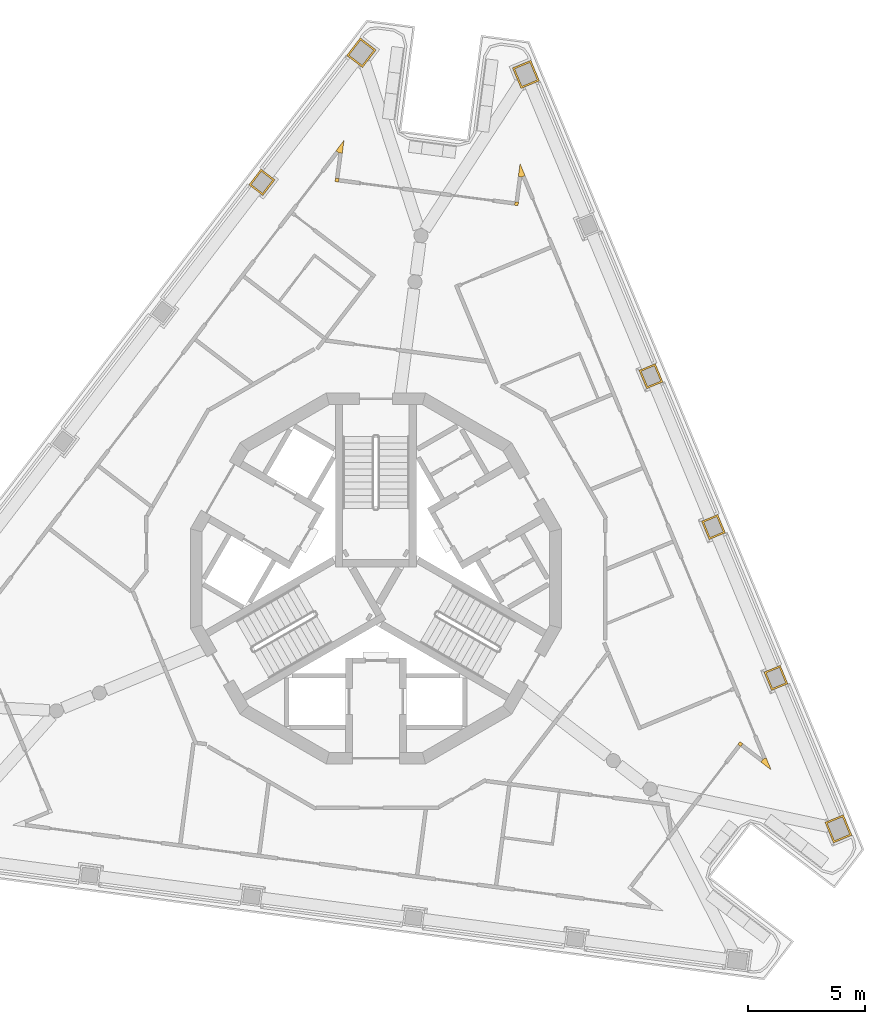
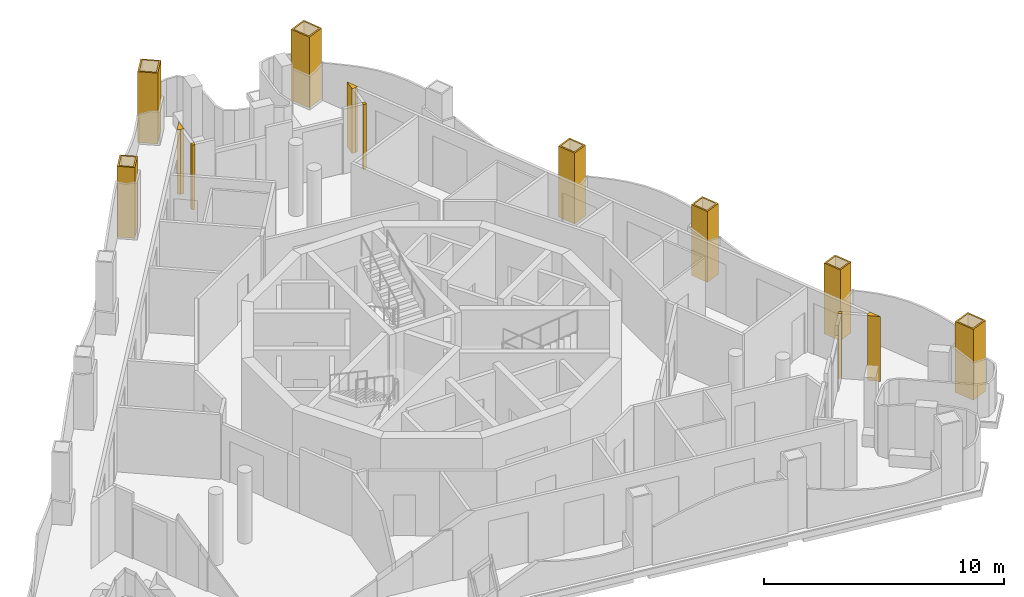
# One storey, part 12 of 13: 13 coverings.
"""IFC4 building model written with IfcOpenShell, lengths in metres."""

from ifc_helpers import new_model, si_unit, direction, frame, origin, place, context, subcontext, project, spatial, polyline, outline, extrude, material, layer, layer_set, type_object, element, save


model = new_model("IFC4")

# Units and contexts
model_context = context("Model", 3, precision=1e-05, world=origin(), true_north=direction((0.0, 1.0)))
body_context = subcontext(model_context, "Body", "Model", "MODEL_VIEW")
ifc_project = project(units=[si_unit("LENGTHUNIT", "METRE"), si_unit("AREAUNIT", "SQUARE_METRE"), si_unit("VOLUMEUNIT", "CUBIC_METRE"), si_unit("PLANEANGLEUNIT", "RADIAN"), si_unit("MASSUNIT", "GRAM", prefix="KILO")], contexts=[model_context])

# Site, building, storey
site_placement = place(None, origin())
site = spatial("IfcSite", under=ifc_project, at=site_placement, CompositionType="ELEMENT")
building_placement = place(site_placement, origin())
building = spatial("IfcBuilding", under=site, at=building_placement, Name="Trine Commons Tower", CompositionType="ELEMENT")
storey_placement = place(building_placement, frame((0.0, 0.0, 286.199951171875)))
storey = spatial("IfcBuildingStorey", under=building, at=storey_placement, Name="L75", CompositionType="ELEMENT", Elevation=286.199951171875)

# Coverings
ifc_material_1 = material(Name="Aluminium-framed insulated wall panel", Category="aluminium")
ifc_layer_1 = layer(ifc_material_1, 0.14990234375)
ifc_layer_set_1 = layer_set([ifc_layer_1], Name="Aluminium-framed insulated wall panel")
covering_type_1 = type_object("IfcCoveringType", Name="Glazing corner post, aluminium", PredefinedType="CLADDING", material=ifc_layer_set_1)
covering_1_placement = place(storey_placement, origin())
element("IfcCovering", 1, at=covering_1_placement, inside=storey, type_object=covering_type_1, Name="Glazing corner post 8-02", PredefinedType="CLADDING", context=body_context, shape_type="SweptSolid", body=[
    extrude(outline(polyline([(78.41845703125, 80.671875), (78.567138671875, 80.652099609375), (78.64013671875, 81.207275390625), (78.29931640625, 80.76318359375), (78.41845703125, 80.671875), (78.41845703125, 80.671875)])), origin(), (0.0, 0.0, 1.0), 3.300048828125),
])
covering_2_placement = place(storey_placement, origin())
element("IfcCovering", 2, at=covering_2_placement, inside=storey, type_object=covering_type_1, Name="Glazing corner post 8-03", PredefinedType="CLADDING", context=body_context, shape_type="SweptSolid", body=[
    extrude(outline(polyline([(78.40576171875, 79.427001953125), (78.42529296875, 79.57568359375), (78.276611328125, 79.59521484375), (78.257080078125, 79.446533203125), (78.40576171875, 79.427001953125)])), origin(), (0.0, 0.0, 1.0), 3.300048828125),
])
covering_3_placement = place(storey_placement, origin())
element("IfcCovering", 3, at=covering_3_placement, inside=storey, type_object=covering_type_1, Name="Glazing corner post 8-04", PredefinedType="CLADDING", context=body_context, shape_type="SweptSolid", body=[
    extrude(outline(polyline([(85.9208984375, 78.437744140625), (86.069580078125, 78.418212890625), (86.089111328125, 78.56689453125), (85.9404296875, 78.58642578125), (85.9208984375, 78.437744140625)])), origin(), (0.0, 0.0, 1.0), 3.300048828125),
])
covering_4_placement = place(storey_placement, origin())
element("IfcCovering", 4, at=covering_4_placement, inside=storey, type_object=covering_type_1, Name="Glazing corner post 8-05", PredefinedType="CLADDING", context=body_context, shape_type="SweptSolid", body=[
    extrude(outline(polyline([(86.082275390625, 79.662841796875), (86.23095703125, 79.643310546875), (86.369384765625, 79.70068359375), (86.1552734375, 80.2177734375), (86.082275390625, 79.662841796875)])), origin(), (0.0, 0.0, 1.0), 3.300048828125),
])
covering_5_placement = place(storey_placement, origin())
element("IfcCovering", 5, at=covering_5_placement, inside=storey, type_object=covering_type_1, Name="Glazing corner post 8-06", PredefinedType="CLADDING", context=body_context, shape_type="SweptSolid", body=[
    extrude(outline(polyline([(96.436767578125, 54.664794921875), (96.880859375, 54.32421875), (96.66650390625, 54.84130859375), (96.528076171875, 54.783935546875), (96.436767578125, 54.664794921875)])), origin(), (0.0, 0.0, 1.0), 3.300048828125),
])
covering_6_placement = place(storey_placement, origin())
element("IfcCovering", 6, at=covering_6_placement, inside=storey, type_object=covering_type_1, Name="Glazing corner post 8-07", PredefinedType="CLADDING", context=body_context, shape_type="SweptSolid", body=[
    extrude(outline(polyline([(95.456298828125, 55.4169921875), (95.575439453125, 55.32568359375), (95.666748046875, 55.44482421875), (95.547607421875, 55.5361328125), (95.456298828125, 55.4169921875)])), origin(), (0.0, 0.0, 1.0), 3.300048828125),
])
ifc_material_2 = material(Name="Limestone, honed", Category="masonry")
ifc_layer_2 = layer(ifc_material_2, 0.074951171875)
ifc_layer_set_2 = layer_set([ifc_layer_2], Name="Limestone, honed")
covering_type_2 = type_object("IfcCoveringType", Name="Limestone column cladding 75", PredefinedType="CLADDING", material=ifc_layer_set_2)
covering_7_placement = place(storey_placement, origin())
element("IfcCovering", 7, at=covering_7_placement, inside=storey, type_object=covering_type_2, Name="Limestone pier cladding 8-11", PredefinedType="CLADDING", context=body_context, shape_type="SweptSolid", body=[
    extrude(outline(polyline([(75.691650390625, 79.52490234375), (75.0966796875, 79.9814453125), (74.579345703125, 79.30712890625), (75.17431640625, 78.8505859375), (75.691650390625, 79.52490234375)]), holes=[polyline([(75.586669921875, 79.510986328125), (75.110595703125, 79.876220703125), (74.684326171875, 79.321044921875), (75.160400390625, 78.955810546875), (75.586669921875, 79.510986328125)])]), origin(), (0.0, 0.0, 1.0), 3.60009765625),
])
covering_8_placement = place(storey_placement, origin())
element("IfcCovering", 8, at=covering_8_placement, inside=storey, type_object=covering_type_2, Name="Limestone pier cladding 8-12", PredefinedType="CLADDING", context=body_context, shape_type="SweptSolid", body=[
    extrude(outline(polyline([(80.006591796875, 85.06591796875), (79.332275390625, 85.58349609375), (78.75390625, 84.829833984375), (79.42822265625, 84.312255859375), (80.006591796875, 85.06591796875)]), holes=[polyline([(79.9013671875, 85.05224609375), (79.345947265625, 85.478271484375), (78.85888671875, 84.843505859375), (79.414306640625, 84.41748046875), (79.9013671875, 85.05224609375)])]), origin(), (0.0, 0.0, 1.0), 3.60009765625),
])
covering_9_placement = place(storey_placement, origin())
element("IfcCovering", 9, at=covering_9_placement, inside=storey, type_object=covering_type_2, Name="Limestone pier cladding 8-13", PredefinedType="CLADDING", context=body_context, shape_type="SweptSolid", body=[
    extrude(outline(polyline([(86.619384765625, 84.6240234375), (85.834228515625, 84.298828125), (86.19775390625, 83.421142578125), (86.98291015625, 83.746337890625), (86.619384765625, 84.6240234375)]), holes=[polyline([(86.578857421875, 84.526123046875), (85.93212890625, 84.25830078125), (86.23828125, 83.51904296875), (86.885009765625, 83.787109375), (86.578857421875, 84.526123046875)])]), origin(), (0.0, 0.0, 1.0), 3.60009765625),
])
covering_10_placement = place(storey_placement, origin())
element("IfcCovering", 10, at=covering_10_placement, inside=storey, type_object=covering_type_2, Name="Limestone pier cladding 8-15", PredefinedType="CLADDING", context=body_context, shape_type="SweptSolid", body=[
    extrude(outline(polyline([(91.92919921875, 71.6748046875), (91.236083984375, 71.3876953125), (91.5615234375, 70.6025390625), (92.25439453125, 70.8896484375), (91.92919921875, 71.6748046875)]), holes=[polyline([(91.888427734375, 71.576904296875), (91.334228515625, 71.347412109375), (91.60205078125, 70.700439453125), (92.156494140625, 70.93017578125), (91.888427734375, 71.576904296875)])]), origin(), (0.0, 0.0, 1.0), 3.60009765625),
])
covering_11_placement = place(storey_placement, origin())
element("IfcCovering", 11, at=covering_11_placement, inside=storey, type_object=covering_type_2, Name="Limestone pier cladding 8-16", PredefinedType="CLADDING", context=body_context, shape_type="SweptSolid", body=[
    extrude(outline(polyline([(94.597412109375, 65.23291015625), (93.904541015625, 64.94580078125), (94.229736328125, 64.160400390625), (94.922607421875, 64.447509765625), (94.597412109375, 65.23291015625)]), holes=[polyline([(94.556884765625, 65.135009765625), (94.00244140625, 64.9052734375), (94.2705078125, 64.258544921875), (94.82470703125, 64.488037109375), (94.556884765625, 65.135009765625)])]), origin(), (0.0, 0.0, 1.0), 3.60009765625),
])
covering_12_placement = place(storey_placement, origin())
element("IfcCovering", 12, at=covering_12_placement, inside=storey, type_object=covering_type_2, Name="Limestone pier cladding 8-17", PredefinedType="CLADDING", context=body_context, shape_type="SweptSolid", body=[
    extrude(outline(polyline([(97.265625, 58.791015625), (96.57275390625, 58.50390625), (96.898193359375, 57.718505859375), (97.591064453125, 58.005615234375), (97.265625, 58.791015625)]), holes=[polyline([(97.22509765625, 58.69287109375), (96.6708984375, 58.46337890625), (96.938720703125, 57.81640625), (97.492919921875, 58.046142578125), (97.22509765625, 58.69287109375)])]), origin(), (0.0, 0.0, 1.0), 3.60009765625),
])
covering_13_placement = place(storey_placement, origin())
element("IfcCovering", 13, at=covering_13_placement, inside=storey, type_object=covering_type_2, Name="Limestone pier cladding 8-18", PredefinedType="CLADDING", context=body_context, shape_type="SweptSolid", body=[
    extrude(outline(polyline([(99.961181640625, 52.414306640625), (99.17578125, 52.089111328125), (99.539306640625, 51.211181640625), (100.32470703125, 51.53662109375), (99.961181640625, 52.414306640625)]), holes=[polyline([(99.920654296875, 52.31640625), (99.27392578125, 52.04833984375), (99.580078125, 51.309326171875), (100.226806640625, 51.5771484375), (99.920654296875, 52.31640625)])]), origin(), (0.0, 0.0, 1.0), 3.60009765625),
])

save(model, "model.ifc")
